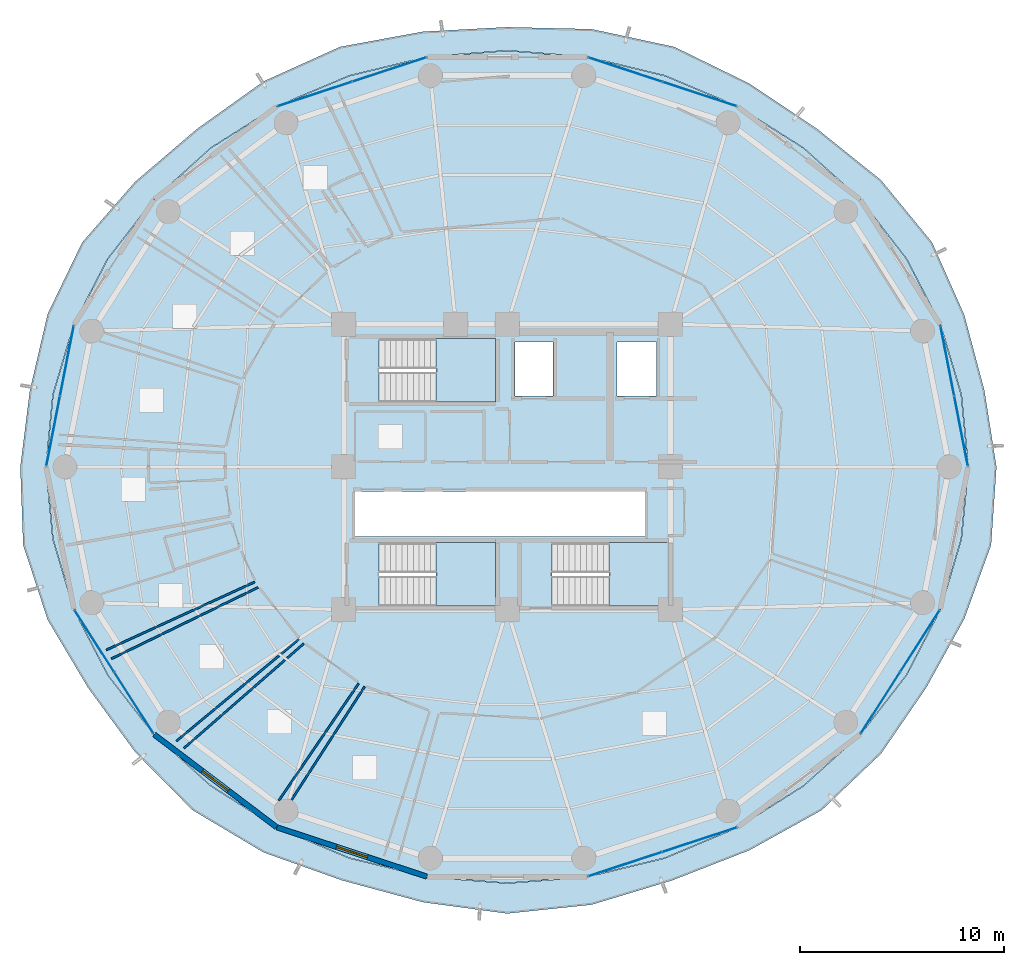
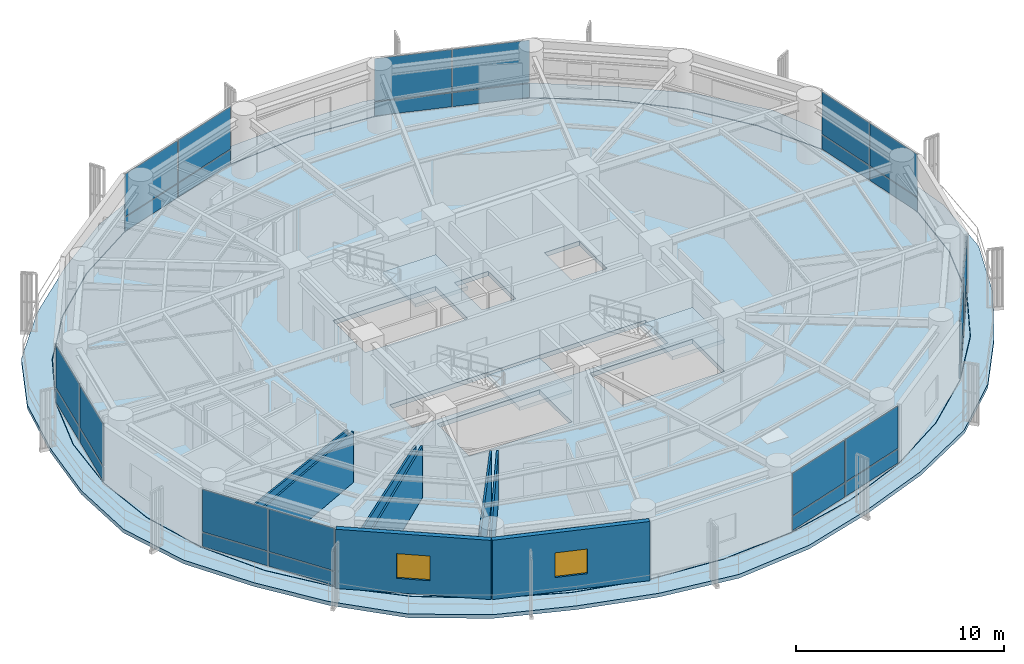
# One storey, part 20 of 28: 28 plates, 8 walls, 5 slabs, 2 windows, 2 openings, 10 elements without a shape of their own.
"""IFC4 building model written with IfcOpenShell, lengths in metres."""

from ifc_helpers import new_model, si_unit, direction, frame, frame_2d, origin, origin_2d, place, context, subcontext, project, spatial, polyline, rectangle, outline, extrude, source, transform, mapped, material, layer, layer_set, type_object, element, fill, aggregate, save


model = new_model("IFC4")

# Units and contexts
model_context = context("Model", 3, precision=1e-05, world=origin(), true_north=direction((0.0, 1.0)))
body_context = subcontext(model_context, "Body", "Model", "MODEL_VIEW")
ifc_project = project(units=[si_unit("LENGTHUNIT", "METRE"), si_unit("AREAUNIT", "SQUARE_METRE"), si_unit("VOLUMEUNIT", "CUBIC_METRE"), si_unit("PLANEANGLEUNIT", "RADIAN"), si_unit("MASSUNIT", "GRAM", prefix="KILO")], contexts=[model_context])

# Site, building, storey
site_placement = place(None, origin())
site = spatial("IfcSite", under=ifc_project, at=site_placement, CompositionType="ELEMENT")
building_placement = place(site_placement, origin())
building = spatial("IfcBuilding", under=site, at=building_placement, Name="Kelanora Arch Commons", CompositionType="ELEMENT")
storey_placement = place(building_placement, frame((0.0, 0.0, 180.60009765625)))
storey = spatial("IfcBuildingStorey", under=building, at=storey_placement, Name="L46", CompositionType="ELEMENT", Elevation=180.60009765625)

# Stair, slab
ifc_material_1 = material(Name="Concrete C40/50", Category="concrete")
stair_type = type_object("IfcStairType", Name="STR-DL-375", PredefinedType="HALF_TURN_STAIR", material=ifc_material_1)
stair_1_placement = place(storey_placement, origin())
stair_1 = element("IfcStair", 1, at=stair_1_placement, inside=storey, type_object=stair_type, Name="L46 ST-T1", PredefinedType="HALF_TURN_STAIR")
ifc_layer_1 = layer(ifc_material_1, 0.199951171875)
ifc_layer_set_1 = layer_set([ifc_layer_1], Name="Concrete C40/50")
slab_type_1 = type_object("IfcSlabType", Name="SLB-STAIR-LND", PredefinedType="LANDING", material=ifc_layer_set_1)
slab_1_placement = place(storey_placement, frame((0.0, 0.0, 1.6748046875)))
slab_1 = element("IfcSlab", 2, at=slab_1_placement, type_object=slab_type_1, Name="ST-T1 landing 1", PredefinedType="LANDING", context=body_context, shape_type="SweptSolid", body=[
    extrude(outline(polyline([(70.52001953125, 61.179931640625), (73.43994140625, 61.179931640625), (73.43994140625, 64.2900390625), (70.52001953125, 64.2900390625), (70.52001953125, 61.179931640625)])), origin(), (0.0, 0.0, 1.0), 0.2001953125),
])
aggregate(stair_1, [slab_1])

stair_2_placement = place(storey_placement, origin())
stair_2 = element("IfcStair", 3, at=stair_2_placement, inside=storey, type_object=stair_type, Name="L46 ST-T2", PredefinedType="HALF_TURN_STAIR")
slab_2_placement = place(storey_placement, frame((0.0, 0.0, 1.6748046875)))
slab_2 = element("IfcSlab", 4, at=slab_2_placement, type_object=slab_type_1, Name="ST-T2 landing 1", PredefinedType="LANDING", context=body_context, shape_type="SweptSolid", body=[
    extrude(outline(polyline([(79.0, 51.179931640625), (81.919921875, 51.179931640625), (81.919921875, 54.2900390625), (79.0, 54.2900390625), (79.0, 51.179931640625)])), origin(), (0.0, 0.0, 1.0), 0.2001953125),
])
aggregate(stair_2, [slab_2])

stair_3_placement = place(storey_placement, origin())
stair_3 = element("IfcStair", 5, at=stair_3_placement, inside=storey, type_object=stair_type, Name="L46 ST-T3", PredefinedType="HALF_TURN_STAIR")
slab_3_placement = place(storey_placement, frame((0.0, 0.0, 1.6748046875)))
slab_3 = element("IfcSlab", 6, at=slab_3_placement, type_object=slab_type_1, Name="ST-T3 landing 1", PredefinedType="LANDING", context=body_context, shape_type="SweptSolid", body=[
    extrude(outline(polyline([(70.52001953125, 51.179931640625), (73.43994140625, 51.179931640625), (73.43994140625, 54.2900390625), (70.52001953125, 54.2900390625), (70.52001953125, 51.179931640625)])), origin(), (0.0, 0.0, 1.0), 0.2001953125),
])
aggregate(stair_3, [slab_3])

# Slabs
ifc_layer_2 = layer(ifc_material_1, 0.260009765625)
ifc_layer_set_2 = layer_set([ifc_layer_2], Name="Concrete C40/50")
slab_type_2 = type_object("IfcSlabType", Name="SLB-TWR-TYP", PredefinedType="FLOOR", material=ifc_layer_set_2)
slab_4_placement = place(storey_placement, frame((0.0, 0.0, -0.260009765625)))
element("IfcSlab", 7, at=slab_4_placement, inside=storey, type_object=slab_type_2, Name="Tower Floor Slab L46", PredefinedType="FLOOR", context=body_context, shape_type="SweptSolid", body=[
    extrude(outline(polyline([(96.60009765625, 58.0), (96.256591796875, 61.54248046875), (95.237060546875, 64.977294921875), (93.572265625, 68.199951171875), (91.3125, 71.11279296875), (88.527099609375, 73.627197265625), (85.300048828125, 75.6669921875), (81.729736328125, 77.169677734375), (77.92431640625, 78.090087890625), (74.0, 78.39990234375), (70.07568359375, 78.090087890625), (66.270263671875, 77.169677734375), (62.699951171875, 75.6669921875), (59.472900390625, 73.627197265625), (56.6875, 71.11279296875), (54.427734375, 68.199951171875), (52.762939453125, 64.977294921875), (51.743408203125, 61.54248046875), (51.39990234375, 58.0), (51.743408203125, 54.45751953125), (52.762939453125, 51.022705078125), (54.427734375, 47.800048828125), (56.6875, 44.88720703125), (59.472900390625, 42.372802734375), (62.699951171875, 40.3330078125), (66.270263671875, 38.830322265625), (70.07568359375, 37.909912109375), (74.0, 37.60009765625), (77.92431640625, 37.909912109375), (81.729736328125, 38.830322265625), (85.300048828125, 40.3330078125), (88.527099609375, 42.372802734375), (91.3125, 44.88720703125), (93.572265625, 47.800048828125), (95.237060546875, 51.022705078125), (96.256591796875, 54.45751953125), (96.60009765625, 58.0)]), holes=[polyline([(73.431884765625, 51.18798828125), (67.72802734375, 51.18798828125), (67.72802734375, 54.281982421875), (73.431884765625, 54.281982421875), (73.431884765625, 51.18798828125)]), polyline([(76.2080078125, 51.18798828125), (76.2080078125, 54.281982421875), (81.912109375, 54.281982421875), (81.912109375, 51.18798828125), (76.2080078125, 51.18798828125)]), polyline([(66.550048828125, 54.60009765625), (66.550048828125, 56.800048828125), (80.75, 56.800048828125), (80.75, 54.60009765625), (66.550048828125, 54.60009765625)]), polyline([(73.431884765625, 61.18798828125), (67.72802734375, 61.18798828125), (67.72802734375, 64.281982421875), (73.431884765625, 64.281982421875), (73.431884765625, 61.18798828125)]), polyline([(74.3798828125, 61.47998046875), (74.3798828125, 64.1201171875), (76.260009765625, 64.1201171875), (76.260009765625, 61.47998046875), (74.3798828125, 61.47998046875)]), polyline([(79.3798828125, 61.47998046875), (79.3798828125, 64.1201171875), (81.320068359375, 64.1201171875), (81.320068359375, 61.47998046875), (79.3798828125, 61.47998046875)])]), origin(), (0.0, 0.0, 1.0), 0.260009765625),
])
ifc_layer_3 = layer(ifc_material_1, 0.219970703125)
ifc_layer_set_3 = layer_set([ifc_layer_3], Name="Concrete C40/50")
slab_type_3 = type_object("IfcSlabType", Name="SLB-WAVE-BAL", PredefinedType="FLOOR", material=ifc_layer_set_3)
slab_5_placement = place(storey_placement, frame((0.0, 0.0, -0.22021484375)))
element("IfcSlab", 8, at=slab_5_placement, inside=storey, type_object=slab_type_3, Name="Sinusoidal Wave Balcony Slab L46", PredefinedType="FLOOR", context=body_context, shape_type="SweptSolid", body=[
    extrude(outline(polyline([(97.990478515625, 58.0), (97.39501953125, 61.764892578125), (96.41259765625, 65.451171875), (94.834228515625, 69.007080078125), (92.3310546875, 72.0595703125), (89.227294921875, 74.552001953125), (85.8857421875, 76.791015625), (82.197265625, 78.593017578125), (78.14306640625, 79.46337890625), (74.0, 79.559814453125), (69.876220703125, 79.341796875), (65.802734375, 78.593017578125), (62.057373046875, 76.900146484375), (58.772705078125, 74.552001953125), (55.759033203125, 71.975830078125), (53.165771484375, 69.007080078125), (51.473388671875, 65.497314453125), (50.60498046875, 61.764892578125), (50.132568359375, 58.0), (50.27294921875, 54.17041015625), (51.473388671875, 50.502685546875), (53.45068359375, 47.175048828125), (55.759033203125, 44.024169921875), (58.568603515625, 41.178466796875), (62.057373046875, 39.099853515625), (65.908203125, 37.728515625), (69.876220703125, 36.658203125), (74.0, 36.101806640625), (78.14306640625, 36.53662109375), (82.091796875, 37.728515625), (85.8857421875, 39.208984375), (89.431396484375, 41.178466796875), (92.3310546875, 43.9404296875), (94.54931640625, 47.175048828125), (96.41259765625, 50.548828125), (97.72705078125, 54.17041015625), (97.990478515625, 58.0)]), holes=[polyline([(96.2763671875, 54.4541015625), (95.255859375, 51.015869140625), (93.589599609375, 47.7900390625), (91.327880859375, 44.874267578125), (88.539794921875, 42.357421875), (85.31005859375, 40.31591796875), (81.736572265625, 38.8115234375), (77.927978515625, 37.89013671875), (74.0, 37.580078125), (70.072021484375, 37.89013671875), (66.263427734375, 38.8115234375), (62.68994140625, 40.31591796875), (59.460205078125, 42.357421875), (56.672119140625, 44.874267578125), (54.410400390625, 47.7900390625), (52.744140625, 51.015869140625), (51.7236328125, 54.4541015625), (51.3798828125, 58.0), (51.7236328125, 61.5458984375), (52.744140625, 64.984130859375), (54.410400390625, 68.2099609375), (56.672119140625, 71.125732421875), (59.460205078125, 73.642578125), (62.68994140625, 75.68408203125), (66.263427734375, 77.1884765625), (70.072021484375, 78.10986328125), (74.0, 78.419921875), (77.927978515625, 78.10986328125), (81.736572265625, 77.1884765625), (85.31005859375, 75.68408203125), (88.539794921875, 73.642578125), (91.327880859375, 71.125732421875), (93.589599609375, 68.2099609375), (95.255859375, 64.984130859375), (96.2763671875, 61.5458984375), (96.6201171875, 58.0), (96.2763671875, 54.4541015625)])]), origin(), (0.0, 0.0, 1.0), 0.22021484375),
])

# Curtain wall, plates
ifc_material_2 = material(Name="Terracotta ceramic-fritted low-E glass and aluminium", Category="masonry")
ifc_layer_4 = layer(ifc_material_2, 0.175048828125)
ifc_layer_set_4 = layer_set([ifc_layer_4], Name="Terracotta ceramic-fritted low-E glass and aluminium")
curtain_wall_type = type_object("IfcCurtainWallType", Name="CW-SYS-02", PredefinedType="NOTDEFINED", material=ifc_layer_set_4)
curtain_wall_1_placement = place(storey_placement, origin())
curtain_wall_1 = element("IfcCurtainWall", 9, at=curtain_wall_1_placement, inside=storey, type_object=curtain_wall_type, Name="Unitised Curtain Wall L46-B00", PredefinedType="NOTDEFINED")
ifc_material_3 = material(Name="Terracotta ceramic-fritted double glazing", Category="masonry")
ifc_layer_5 = layer(ifc_material_3, 0.028076171875)
ifc_layer_set_5 = layer_set([ifc_layer_5], Name="Terracotta ceramic-fritted double glazing")
plate_type = type_object("IfcPlateType", Name="CWP-FRIT", PredefinedType="CURTAIN_PANEL", material=ifc_layer_set_5)
shared_shape_1 = source(origin(), body_context, "Body", "SweptSolid", [
    extrude(rectangle(XDim=3.449462890625, YDim=0.028076171875, at=origin_2d()), origin(), (0.0, 0.0, 1.0), 0.81005859375),
])
plate_1_placement = place(storey_placement, frame((96.2548828125, 59.766357421875, 0.059814453125), z_axis=(0.0, 0.0, 1.0), x_axis=(-0.191705182375, 0.981452557718, 0.0)))
plate_1 = element("IfcPlate", 10, at=plate_1_placement, type_object=plate_type, Name="CW-02 panel 1.1", PredefinedType="CURTAIN_PANEL", context=body_context, shape_type="MappedRepresentation", body=[
    mapped(shared_shape_1, transform((0.0, 0.0, 0.0), scale=1.0)),
])
plate_2_placement = place(storey_placement, frame((95.58203125, 63.2109375, 0.059814453125), z_axis=(0.0, 0.0, 1.0), x_axis=(-0.191705182375, 0.981452557718, 0.0)))
plate_2 = element("IfcPlate", 11, at=plate_2_placement, type_object=plate_type, Name="CW-02 panel 2.1", PredefinedType="CURTAIN_PANEL", context=body_context, shape_type="MappedRepresentation", body=[
    mapped(shared_shape_1, transform((0.0, 0.0, 0.0), scale=1.0)),
])

curtain_wall_2_placement = place(storey_placement, origin())
curtain_wall_2 = element("IfcCurtainWall", 12, at=curtain_wall_2_placement, inside=storey, type_object=curtain_wall_type, Name="Unitised Curtain Wall L46-B08", PredefinedType="NOTDEFINED")
plate_3_placement = place(storey_placement, frame((52.41796875, 63.2109375, 0.059814453125), z_axis=(0.0, 0.0, 1.0), x_axis=(-0.191705182375, -0.981452557718, 0.0)))
plate_3 = element("IfcPlate", 13, at=plate_3_placement, type_object=plate_type, Name="CW-02 panel 1.1", PredefinedType="CURTAIN_PANEL", context=body_context, shape_type="MappedRepresentation", body=[
    mapped(shared_shape_1, transform((0.0, 0.0, 0.0), scale=1.0)),
])
plate_4_placement = place(storey_placement, frame((51.7451171875, 59.766357421875, 0.059814453125), z_axis=(0.0, 0.0, 1.0), x_axis=(-0.191705182375, -0.981452557718, 0.0)))
plate_4 = element("IfcPlate", 14, at=plate_4_placement, type_object=plate_type, Name="CW-02 panel 2.1", PredefinedType="CURTAIN_PANEL", context=body_context, shape_type="MappedRepresentation", body=[
    mapped(shared_shape_1, transform((0.0, 0.0, 0.0), scale=1.0)),
])

# Plate
shared_shape_2 = source(origin(), body_context, "Body", "SweptSolid", [
    extrude(rectangle(XDim=3.449462890625, YDim=0.028076171875, at=origin_2d()), origin(), (0.0, 0.0, 1.0), 2.485107421875),
])
plate_5_placement = place(storey_placement, frame((96.2548828125, 59.766357421875, 0.9296875), z_axis=(0.0, 0.0, 1.0), x_axis=(-0.191705182375, 0.981452557718, 0.0)))
plate_5 = element("IfcPlate", 15, at=plate_5_placement, type_object=plate_type, Name="CW-02 panel 1.2", PredefinedType="CURTAIN_PANEL", context=body_context, shape_type="MappedRepresentation", body=[
    mapped(shared_shape_2, transform((0.0, 0.0, 0.0), scale=1.0)),
])

plate_6_placement = place(storey_placement, frame((95.58203125, 63.2109375, 0.9296875), z_axis=(0.0, 0.0, 1.0), x_axis=(-0.191705182375, 0.981452557718, 0.0)))
plate_6 = element("IfcPlate", 16, at=plate_6_placement, type_object=plate_type, Name="CW-02 panel 2.2", PredefinedType="CURTAIN_PANEL", context=body_context, shape_type="MappedRepresentation", body=[
    mapped(shared_shape_2, transform((0.0, 0.0, 0.0), scale=1.0)),
])

aggregate(curtain_wall_1, [plate_1, plate_5, plate_2, plate_6])

plate_7_placement = place(storey_placement, frame((52.41796875, 63.2109375, 0.9296875), z_axis=(0.0, 0.0, 1.0), x_axis=(-0.191705182375, -0.981452557718, 0.0)))
plate_7 = element("IfcPlate", 17, at=plate_7_placement, type_object=plate_type, Name="CW-02 panel 1.2", PredefinedType="CURTAIN_PANEL", context=body_context, shape_type="MappedRepresentation", body=[
    mapped(shared_shape_2, transform((0.0, 0.0, 0.0), scale=1.0)),
])

plate_8_placement = place(storey_placement, frame((51.7451171875, 59.766357421875, 0.9296875), z_axis=(0.0, 0.0, 1.0), x_axis=(-0.191705182375, -0.981452557718, 0.0)))
plate_8 = element("IfcPlate", 18, at=plate_8_placement, type_object=plate_type, Name="CW-02 panel 2.2", PredefinedType="CURTAIN_PANEL", context=body_context, shape_type="MappedRepresentation", body=[
    mapped(shared_shape_2, transform((0.0, 0.0, 0.0), scale=1.0)),
])

aggregate(curtain_wall_2, [plate_3, plate_7, plate_4, plate_8])

# Curtain wall, plates
curtain_wall_3_placement = place(storey_placement, origin())
curtain_wall_3 = element("IfcCurtainWall", 19, at=curtain_wall_3_placement, inside=storey, type_object=curtain_wall_type, Name="Unitised Curtain Wall L46-B03", PredefinedType="NOTDEFINED")
shared_shape_3 = source(origin(), body_context, "Body", "SweptSolid", [
    extrude(rectangle(XDim=3.776611328125, YDim=0.028076171875, at=origin_2d()), origin(), (0.0, 0.0, 1.0), 0.81005859375),
])
plate_9_placement = place(storey_placement, frame((83.434814453125, 76.27978515625, 0.059814453125), z_axis=(0.0, 0.0, 1.0), x_axis=(-0.95003996605, 0.312128279571, 0.0)))
plate_9 = element("IfcPlate", 20, at=plate_9_placement, type_object=plate_type, Name="CW-02 panel 1.1", PredefinedType="CURTAIN_PANEL", context=body_context, shape_type="MappedRepresentation", body=[
    mapped(shared_shape_3, transform((0.0, 0.0, 0.0), scale=1.0)),
])
plate_10_placement = place(storey_placement, frame((79.789794921875, 77.477294921875, 0.059814453125), z_axis=(0.0, 0.0, 1.0), x_axis=(-0.95003996605, 0.312128279571, 0.0)))
plate_10 = element("IfcPlate", 21, at=plate_10_placement, type_object=plate_type, Name="CW-02 panel 2.1", PredefinedType="CURTAIN_PANEL", context=body_context, shape_type="MappedRepresentation", body=[
    mapped(shared_shape_3, transform((0.0, 0.0, 0.0), scale=1.0)),
])

curtain_wall_4_placement = place(storey_placement, origin())
curtain_wall_4 = element("IfcCurtainWall", 22, at=curtain_wall_4_placement, inside=storey, type_object=curtain_wall_type, Name="Unitised Curtain Wall L46-B05", PredefinedType="NOTDEFINED")
plate_11_placement = place(storey_placement, frame((68.210205078125, 77.477294921875, 0.059814453125), z_axis=(0.0, 0.0, 1.0), x_axis=(-0.95003996605, -0.312128279571, 0.0)))
plate_11 = element("IfcPlate", 23, at=plate_11_placement, type_object=plate_type, Name="CW-02 panel 1.1", PredefinedType="CURTAIN_PANEL", context=body_context, shape_type="MappedRepresentation", body=[
    mapped(shared_shape_3, transform((0.0, 0.0, 0.0), scale=1.0)),
])
plate_12_placement = place(storey_placement, frame((64.565185546875, 76.27978515625, 0.059814453125), z_axis=(0.0, 0.0, 1.0), x_axis=(-0.95003996605, -0.312128279571, 0.0)))
plate_12 = element("IfcPlate", 24, at=plate_12_placement, type_object=plate_type, Name="CW-02 panel 2.1", PredefinedType="CURTAIN_PANEL", context=body_context, shape_type="MappedRepresentation", body=[
    mapped(shared_shape_3, transform((0.0, 0.0, 0.0), scale=1.0)),
])

curtain_wall_5_placement = place(storey_placement, origin())
curtain_wall_5 = element("IfcCurtainWall", 25, at=curtain_wall_5_placement, inside=storey, type_object=curtain_wall_type, Name="Unitised Curtain Wall L46-B14", PredefinedType="NOTDEFINED")
plate_13_placement = place(storey_placement, frame((79.789794921875, 38.522705078125, 0.059814453125), z_axis=(0.0, 0.0, 1.0), x_axis=(0.95003996605, 0.312128279571, 0.0)))
plate_13 = element("IfcPlate", 26, at=plate_13_placement, type_object=plate_type, Name="CW-02 panel 1.1", PredefinedType="CURTAIN_PANEL", context=body_context, shape_type="MappedRepresentation", body=[
    mapped(shared_shape_3, transform((0.0, 0.0, 0.0), scale=1.0)),
])
plate_14_placement = place(storey_placement, frame((83.434814453125, 39.72021484375, 0.059814453125), z_axis=(0.0, 0.0, 1.0), x_axis=(0.95003996605, 0.312128279571, 0.0)))
plate_14 = element("IfcPlate", 27, at=plate_14_placement, type_object=plate_type, Name="CW-02 panel 2.1", PredefinedType="CURTAIN_PANEL", context=body_context, shape_type="MappedRepresentation", body=[
    mapped(shared_shape_3, transform((0.0, 0.0, 0.0), scale=1.0)),
])

# Plate
shared_shape_4 = source(origin(), body_context, "Body", "SweptSolid", [
    extrude(rectangle(XDim=3.776611328125, YDim=0.028076171875, at=origin_2d()), origin(), (0.0, 0.0, 1.0), 2.485107421875),
])
plate_15_placement = place(storey_placement, frame((83.434814453125, 76.27978515625, 0.9296875), z_axis=(0.0, 0.0, 1.0), x_axis=(-0.95003996605, 0.312128279571, 0.0)))
plate_15 = element("IfcPlate", 28, at=plate_15_placement, type_object=plate_type, Name="CW-02 panel 1.2", PredefinedType="CURTAIN_PANEL", context=body_context, shape_type="MappedRepresentation", body=[
    mapped(shared_shape_4, transform((0.0, 0.0, 0.0), scale=1.0)),
])

plate_16_placement = place(storey_placement, frame((79.789794921875, 77.477294921875, 0.9296875), z_axis=(0.0, 0.0, 1.0), x_axis=(-0.95003996605, 0.312128279571, 0.0)))
plate_16 = element("IfcPlate", 29, at=plate_16_placement, type_object=plate_type, Name="CW-02 panel 2.2", PredefinedType="CURTAIN_PANEL", context=body_context, shape_type="MappedRepresentation", body=[
    mapped(shared_shape_4, transform((0.0, 0.0, 0.0), scale=1.0)),
])

aggregate(curtain_wall_3, [plate_9, plate_15, plate_10, plate_16])

plate_17_placement = place(storey_placement, frame((68.210205078125, 77.477294921875, 0.9296875), z_axis=(0.0, 0.0, 1.0), x_axis=(-0.95003996605, -0.312128279571, 0.0)))
plate_17 = element("IfcPlate", 30, at=plate_17_placement, type_object=plate_type, Name="CW-02 panel 1.2", PredefinedType="CURTAIN_PANEL", context=body_context, shape_type="MappedRepresentation", body=[
    mapped(shared_shape_4, transform((0.0, 0.0, 0.0), scale=1.0)),
])

plate_18_placement = place(storey_placement, frame((64.565185546875, 76.27978515625, 0.9296875), z_axis=(0.0, 0.0, 1.0), x_axis=(-0.95003996605, -0.312128279571, 0.0)))
plate_18 = element("IfcPlate", 31, at=plate_18_placement, type_object=plate_type, Name="CW-02 panel 2.2", PredefinedType="CURTAIN_PANEL", context=body_context, shape_type="MappedRepresentation", body=[
    mapped(shared_shape_4, transform((0.0, 0.0, 0.0), scale=1.0)),
])

aggregate(curtain_wall_4, [plate_11, plate_17, plate_12, plate_18])

plate_19_placement = place(storey_placement, frame((79.789794921875, 38.522705078125, 0.9296875), z_axis=(0.0, 0.0, 1.0), x_axis=(0.95003996605, 0.312128279571, 0.0)))
plate_19 = element("IfcPlate", 32, at=plate_19_placement, type_object=plate_type, Name="CW-02 panel 1.2", PredefinedType="CURTAIN_PANEL", context=body_context, shape_type="MappedRepresentation", body=[
    mapped(shared_shape_4, transform((0.0, 0.0, 0.0), scale=1.0)),
])

plate_20_placement = place(storey_placement, frame((83.434814453125, 39.72021484375, 0.9296875), z_axis=(0.0, 0.0, 1.0), x_axis=(0.95003996605, 0.312128279571, 0.0)))
plate_20 = element("IfcPlate", 33, at=plate_20_placement, type_object=plate_type, Name="CW-02 panel 2.2", PredefinedType="CURTAIN_PANEL", context=body_context, shape_type="MappedRepresentation", body=[
    mapped(shared_shape_4, transform((0.0, 0.0, 0.0), scale=1.0)),
])

aggregate(curtain_wall_5, [plate_13, plate_19, plate_14, plate_20])

# Curtain wall, plates
curtain_wall_6_placement = place(storey_placement, origin())
curtain_wall_6 = element("IfcCurtainWall", 34, at=curtain_wall_6_placement, inside=storey, type_object=curtain_wall_type, Name="Unitised Curtain Wall L46-B10", PredefinedType="NOTDEFINED")
shared_shape_5 = source(origin(), body_context, "Body", "SweptSolid", [
    extrude(rectangle(XDim=3.53662109375, YDim=0.028076171875, at=origin_2d()), origin(), (0.0, 0.0, 1.0), 0.81005859375),
])
plate_21_placement = place(storey_placement, frame((53.756103515625, 49.469970703125, 0.059814453125), z_axis=(0.0, 0.0, 1.0), x_axis=(0.538816988983, -0.842422846546, 0.0)))
plate_21 = element("IfcPlate", 35, at=plate_21_placement, type_object=plate_type, Name="CW-02 panel 1.1", PredefinedType="CURTAIN_PANEL", context=body_context, shape_type="MappedRepresentation", body=[
    mapped(shared_shape_5, transform((0.0, 0.0, 0.0), scale=1.0)),
])
plate_22_placement = place(storey_placement, frame((55.694091796875, 46.43994140625, 0.059814453125), z_axis=(0.0, 0.0, 1.0), x_axis=(0.538816988983, -0.842422846546, 0.0)))
plate_22 = element("IfcPlate", 36, at=plate_22_placement, type_object=plate_type, Name="CW-02 panel 2.1", PredefinedType="CURTAIN_PANEL", context=body_context, shape_type="MappedRepresentation", body=[
    mapped(shared_shape_5, transform((0.0, 0.0, 0.0), scale=1.0)),
])

curtain_wall_7_placement = place(storey_placement, origin())
curtain_wall_7 = element("IfcCurtainWall", 37, at=curtain_wall_7_placement, inside=storey, type_object=curtain_wall_type, Name="Unitised Curtain Wall L46-B16", PredefinedType="NOTDEFINED")
plate_23_placement = place(storey_placement, frame((92.305908203125, 46.43994140625, 0.059814453125), z_axis=(0.0, 0.0, 1.0), x_axis=(0.538816988983, 0.842422846546, 0.0)))
plate_23 = element("IfcPlate", 38, at=plate_23_placement, type_object=plate_type, Name="CW-02 panel 1.1", PredefinedType="CURTAIN_PANEL", context=body_context, shape_type="MappedRepresentation", body=[
    mapped(shared_shape_5, transform((0.0, 0.0, 0.0), scale=1.0)),
])
plate_24_placement = place(storey_placement, frame((94.243896484375, 49.469970703125, 0.059814453125), z_axis=(0.0, 0.0, 1.0), x_axis=(0.538816988983, 0.842422846546, 0.0)))
plate_24 = element("IfcPlate", 39, at=plate_24_placement, type_object=plate_type, Name="CW-02 panel 2.1", PredefinedType="CURTAIN_PANEL", context=body_context, shape_type="MappedRepresentation", body=[
    mapped(shared_shape_5, transform((0.0, 0.0, 0.0), scale=1.0)),
])

# Plate
shared_shape_6 = source(origin(), body_context, "Body", "SweptSolid", [
    extrude(rectangle(XDim=3.53662109375, YDim=0.028076171875, at=origin_2d()), origin(), (0.0, 0.0, 1.0), 2.485107421875),
])
plate_25_placement = place(storey_placement, frame((53.756103515625, 49.469970703125, 0.9296875), z_axis=(0.0, 0.0, 1.0), x_axis=(0.538816988983, -0.842422846546, 0.0)))
plate_25 = element("IfcPlate", 40, at=plate_25_placement, type_object=plate_type, Name="CW-02 panel 1.2", PredefinedType="CURTAIN_PANEL", context=body_context, shape_type="MappedRepresentation", body=[
    mapped(shared_shape_6, transform((0.0, 0.0, 0.0), scale=1.0)),
])

plate_26_placement = place(storey_placement, frame((55.694091796875, 46.43994140625, 0.9296875), z_axis=(0.0, 0.0, 1.0), x_axis=(0.538816988983, -0.842422846546, 0.0)))
plate_26 = element("IfcPlate", 41, at=plate_26_placement, type_object=plate_type, Name="CW-02 panel 2.2", PredefinedType="CURTAIN_PANEL", context=body_context, shape_type="MappedRepresentation", body=[
    mapped(shared_shape_6, transform((0.0, 0.0, 0.0), scale=1.0)),
])

aggregate(curtain_wall_6, [plate_21, plate_25, plate_22, plate_26])

plate_27_placement = place(storey_placement, frame((92.305908203125, 46.43994140625, 0.9296875), z_axis=(0.0, 0.0, 1.0), x_axis=(0.538816988983, 0.842422846546, 0.0)))
plate_27 = element("IfcPlate", 42, at=plate_27_placement, type_object=plate_type, Name="CW-02 panel 1.2", PredefinedType="CURTAIN_PANEL", context=body_context, shape_type="MappedRepresentation", body=[
    mapped(shared_shape_6, transform((0.0, 0.0, 0.0), scale=1.0)),
])

plate_28_placement = place(storey_placement, frame((94.243896484375, 49.469970703125, 0.9296875), z_axis=(0.0, 0.0, 1.0), x_axis=(0.538816988983, 0.842422846546, 0.0)))
plate_28 = element("IfcPlate", 43, at=plate_28_placement, type_object=plate_type, Name="CW-02 panel 2.2", PredefinedType="CURTAIN_PANEL", context=body_context, shape_type="MappedRepresentation", body=[
    mapped(shared_shape_6, transform((0.0, 0.0, 0.0), scale=1.0)),
])

aggregate(curtain_wall_7, [plate_23, plate_27, plate_24, plate_28])

# Wall, opening, window
ifc_material_4 = material(Name="Precast concrete C40/50 with terracotta rainscreen", Category="masonry")
ifc_layer_6 = layer(ifc_material_4, 0.260009765625)
ifc_layer_set_6 = layer_set([ifc_layer_6], Name="Precast concrete C40/50 with terracotta rainscreen")
wall_type_1 = type_object("IfcWallType", Name="W-EXT-TC", PredefinedType="SOLIDWALL", material=ifc_layer_set_6)
wall_1_placement = place(storey_placement, frame((56.699462890625, 44.8779296875, 0.0), z_axis=(0.0, 0.0, 1.0), x_axis=(0.797163719609, -0.603763202042, 0.0)))
wall_1 = element("IfcWall", 44, at=wall_1_placement, inside=storey, type_object=wall_type_1, Name="Terracotta Exterior Wall L46-B11", PredefinedType="SOLIDWALL", context=body_context, shape_type="SweptSolid", body=[
    extrude(rectangle(XDim=7.51220703125, YDim=0.260009765625, at=frame_2d((3.756103515625, 0.0))), origin(), (0.0, 0.0, 1.0), 3.474853515625),
])
opening_1_placement = place(wall_1_placement, frame((2.9560546875, 0.0, 0.85009765625)))
opening_1 = element("IfcOpeningElement", 45, at=opening_1_placement, cuts=wall_1, Name="Opening WN-01", PredefinedType="OPENING", context=body_context, shape_type="SweptSolid", body=[
    extrude(rectangle(XDim=1.60009765625, YDim=1.449951171875, at=frame_2d((0.800048828125, 0.72509765625))), frame((0.0, 0.14013671875, 0.0), z_axis=(0.0, -1.0, 0.0), x_axis=(1.0, 0.0, 0.0)), (0.0, 0.0, 1.0), 0.280029296875),
])
ifc_material_5 = material(Name="Terracotta-anodised aluminium frame with operable low-E glazing", Category="masonry")
window_type = type_object("IfcWindowType", Name="WIN-CL-18", PartitioningType="DOUBLE_PANEL_VERTICAL", PredefinedType="WINDOW", material=ifc_material_5)
window_1_placement = place(opening_1_placement, origin())
window_1 = element("IfcWindow", 46, at=window_1_placement, inside=storey, type_object=window_type, Name="Co-Living Operable Window L46-B11", OverallHeight=1.449951171875, OverallWidth=1.60009765625, PartitioningType="SINGLE_PANEL", PredefinedType="WINDOW", context=body_context, shape_type="SweptSolid", body=[
    extrude(rectangle(XDim=1.60009765625, YDim=1.449951171875, at=frame_2d((0.800048828125, 0.72509765625))), frame((0.0, 0.030029296875, 0.0), z_axis=(0.0, -1.0, 0.0), x_axis=(1.0, 0.0, 0.0)), (0.0, 0.0, 1.0), 0.06005859375),
])
fill(opening_1, window_1)

wall_2_placement = place(storey_placement, frame((62.71435546875, 40.328369140625, 0.0), z_axis=(0.0, 0.0, 1.0), x_axis=(0.950038302428, -0.312133343173, 0.0)))
wall_2 = element("IfcWall", 47, at=wall_2_placement, inside=storey, type_object=wall_type_1, Name="Terracotta Exterior Wall L46-B12", PredefinedType="SOLIDWALL", context=body_context, shape_type="SweptSolid", body=[
    extrude(rectangle(XDim=7.7333984375, YDim=0.260009765625, at=frame_2d((3.86669921875, 0.0))), origin(), (0.0, 0.0, 1.0), 3.474853515625),
])
opening_2_placement = place(wall_2_placement, frame((3.06689453125, 0.0, 0.85009765625)))
opening_2 = element("IfcOpeningElement", 48, at=opening_2_placement, cuts=wall_2, Name="Opening WN-01", PredefinedType="OPENING", context=body_context, shape_type="SweptSolid", body=[
    extrude(rectangle(XDim=1.60009765625, YDim=1.449951171875, at=frame_2d((0.800048828125, 0.72509765625))), frame((0.0, 0.14013671875, 0.0), z_axis=(0.0, -1.0, 0.0), x_axis=(1.0, 0.0, 0.0)), (0.0, 0.0, 1.0), 0.280029296875),
])
window_2_placement = place(opening_2_placement, origin())
window_2 = element("IfcWindow", 49, at=window_2_placement, inside=storey, type_object=window_type, Name="Co-Living Operable Window L46-B12", OverallHeight=1.449951171875, OverallWidth=1.60009765625, PartitioningType="SINGLE_PANEL", PredefinedType="WINDOW", context=body_context, shape_type="SweptSolid", body=[
    extrude(rectangle(XDim=1.60009765625, YDim=1.449951171875, at=frame_2d((0.800048828125, 0.72509765625))), frame((0.0, 0.030029296875, 0.0), z_axis=(0.0, -1.0, 0.0), x_axis=(1.0, 0.0, 0.0)), (0.0, 0.0, 1.0), 0.06005859375),
])
fill(opening_2, window_2)

# Walls
ifc_material_6 = material(Name="Lightweight fire-rated acoustic stud partition")
ifc_layer_7 = layer(ifc_material_6, 0.10009765625)
ifc_layer_set_7 = layer_set([ifc_layer_7], Name="Lightweight fire-rated acoustic stud partition")
wall_type_2 = type_object("IfcWallType", Name="W-PART-100", PredefinedType="PARTITIONING", material=ifc_layer_set_7)
wall_3_placement = place(storey_placement, frame((61.629638671875, 52.359375, 0.0), z_axis=(0.0, 0.0, 1.0), x_axis=(-0.909155211227, -0.416457443083, 0.0)))
element("IfcWall", 50, at=wall_3_placement, inside=storey, type_object=wall_type_2, Name="Tutorial Study Alcove L46-06 Enclosure Partition 2", PredefinedType="PARTITIONING", context=body_context, shape_type="SweptSolid", body=[
    extrude(rectangle(XDim=8.011962890625, YDim=0.10009765625, at=frame_2d((4.005859375, 0.0))), origin(), (0.0, 0.0, 1.0), 2.974853515625),
])
wall_4_placement = place(storey_placement, frame((63.794189453125, 49.555419921875, 0.0), z_axis=(0.0, 0.0, 1.0), x_axis=(-0.768927769446, -0.639335659396, 0.0)))
element("IfcWall", 51, at=wall_4_placement, inside=storey, type_object=wall_type_2, Name="Quiet Seminar Study Room L46-07 Enclosure Partition 2", PredefinedType="PARTITIONING", context=body_context, shape_type="SweptSolid", body=[
    extrude(rectangle(XDim=7.8125, YDim=0.10009765625, at=frame_2d((3.90625, 0.0))), origin(), (0.0, 0.0, 1.0), 2.974853515625),
])
wall_5_placement = place(storey_placement, frame((54.594970703125, 48.592529296875, 0.0), z_axis=(0.0, 0.0, 1.0), x_axis=(0.899324003441, 0.437282902518, 0.0)))
element("IfcWall", 52, at=wall_5_placement, inside=storey, type_object=wall_type_2, Name="Quiet Seminar Study Room L46-07 Enclosure Partition 4", PredefinedType="PARTITIONING", context=body_context, shape_type="SweptSolid", body=[
    extrude(rectangle(XDim=7.997314453125, YDim=0.10009765625, at=frame_2d((3.99853515625, 0.0))), origin(), (0.0, 0.0, 1.0), 2.974853515625),
])
wall_6_placement = place(storey_placement, frame((66.723388671875, 47.384033203125, 0.0), z_axis=(0.0, 0.0, 1.0), x_axis=(-0.563521193737, -0.826101606468, 0.0)))
element("IfcWall", 53, at=wall_6_placement, inside=storey, type_object=wall_type_2, Name="Shared Cluster Kitchen L46-08 Enclosure Partition 2", PredefinedType="PARTITIONING", context=body_context, shape_type="SweptSolid", body=[
    extrude(rectangle(XDim=6.943603515625, YDim=0.10009765625, at=frame_2d((3.4716796875, 0.0))), origin(), (0.0, 0.0, 1.0), 2.974853515625),
])
wall_7_placement = place(storey_placement, frame((58.156005859375, 44.208251953125, 0.0), z_axis=(0.0, 0.0, 1.0), x_axis=(0.753307828271, 0.657668089438, 0.0)))
element("IfcWall", 54, at=wall_7_placement, inside=storey, type_object=wall_type_2, Name="Shared Cluster Kitchen L46-08 Enclosure Partition 4", PredefinedType="PARTITIONING", context=body_context, shape_type="SweptSolid", body=[
    extrude(rectangle(XDim=7.79345703125, YDim=0.10009765625, at=frame_2d((3.896728515625, 0.0))), origin(), (0.0, 0.0, 1.0), 3.02490234375),
])
wall_8_placement = place(storey_placement, frame((63.43994140625, 41.688720703125, 0.0), z_axis=(0.0, 0.0, 1.0), x_axis=(0.542254246964, 0.840214455749, 0.0)))
element("IfcWall", 55, at=wall_8_placement, inside=storey, type_object=wall_type_2, Name="Social Sky Lounge L46-09 Enclosure Partition 4", PredefinedType="PARTITIONING", context=body_context, shape_type="SweptSolid", body=[
    extrude(rectangle(XDim=6.591796875, YDim=0.10009765625, at=frame_2d((3.2958984375, 0.0))), origin(), (0.0, 0.0, 1.0), 2.974853515625),
])

save(model, "model.ifc")
